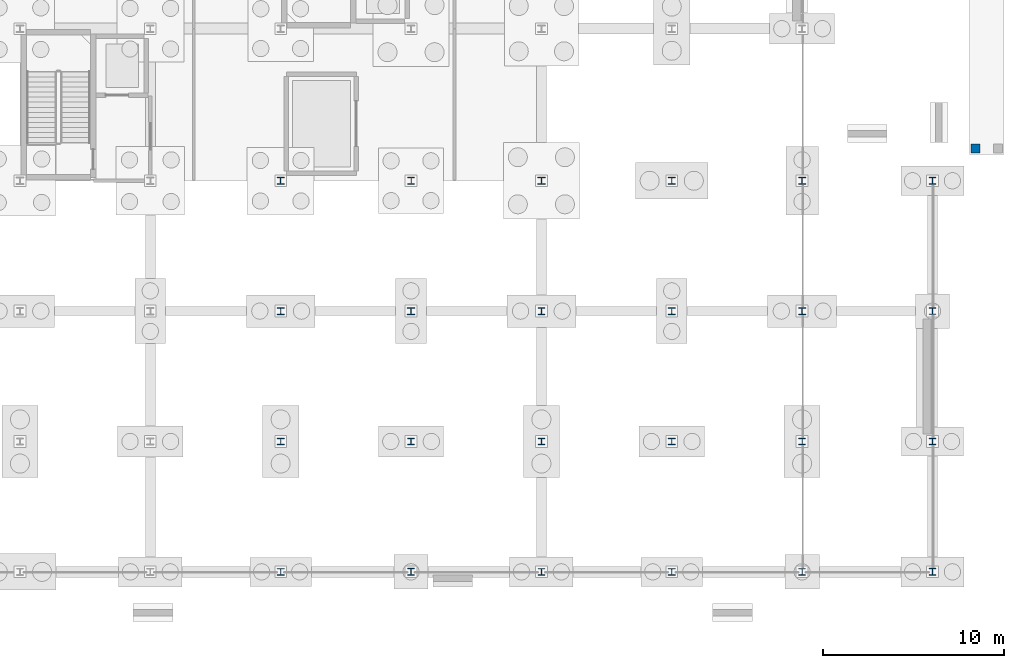
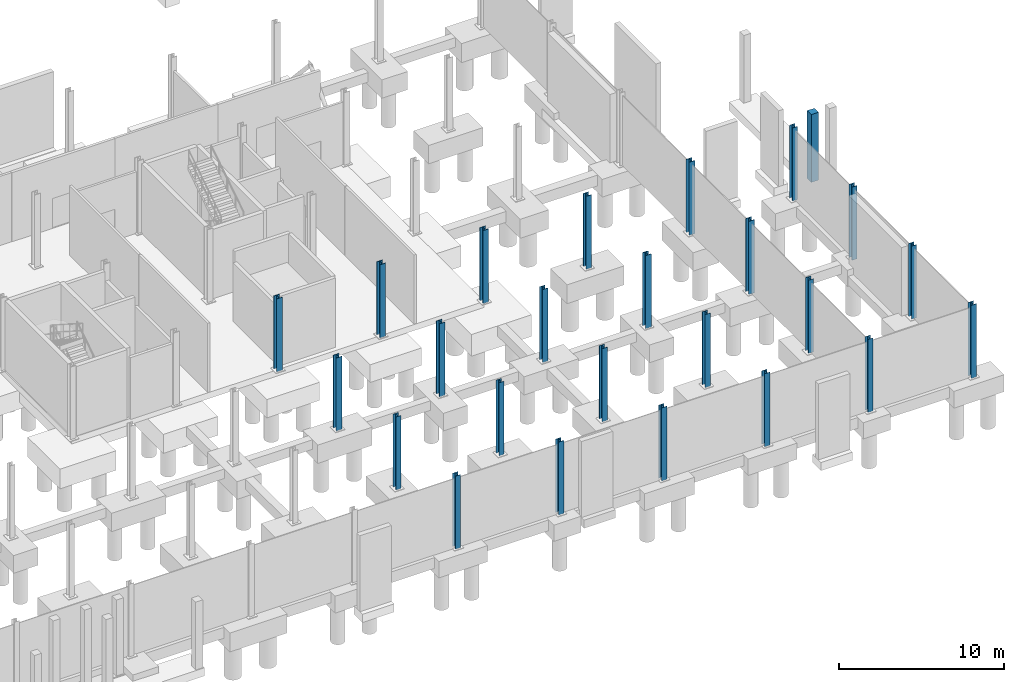
# One storey, part 30 of 61: 25 columns.
"""IFC4 building model written with IfcOpenShell, lengths in metres."""

from ifc_helpers import new_model, si_unit, direction, frame, origin, origin_2d, place, context, subcontext, project, spatial, rectangle, i_section, extrude, material, material_profile, profile_set, type_object, element, save


model = new_model("IFC4")

# Units and contexts
model_context = context("Model", 3, precision=1e-05, world=origin(), true_north=direction((0.0, 1.0)))
body_context = subcontext(model_context, "Body", "Model", "MODEL_VIEW")
ifc_project = project(units=[si_unit("LENGTHUNIT", "METRE"), si_unit("AREAUNIT", "SQUARE_METRE"), si_unit("VOLUMEUNIT", "CUBIC_METRE"), si_unit("PLANEANGLEUNIT", "RADIAN"), si_unit("MASSUNIT", "GRAM", prefix="KILO")], contexts=[model_context])

# Site, building, storey
site_placement = place(None, origin())
site = spatial("IfcSite", under=ifc_project, at=site_placement, CompositionType="ELEMENT")
building_placement = place(site_placement, origin())
building = spatial("IfcBuilding", under=site, at=building_placement, Name="Calvrana Isthmian Art Gallery", CompositionType="ELEMENT")
storey_placement = place(building_placement, frame((0.0, 0.0, -5.39990234375)))
storey = spatial("IfcBuildingStorey", under=building, at=storey_placement, Name="B1", CompositionType="ELEMENT", Elevation=-5.39990234375)

# Columns
ifc_material_1 = material(Name="Concrete C40/50", Category="concrete")
ifc_material_profile_1 = material_profile(ifc_material_1, rectangle(XDim=0.5, YDim=0.5, at=origin_2d()), Name="RC500X500")
ifc_profile_set_1 = profile_set([ifc_material_profile_1], Name="Concrete C40/50")
column_type_1 = type_object("IfcColumnType", Name="COL-RC-RC500X500", PredefinedType="COLUMN", material=ifc_profile_set_1)
column_1_placement = place(storey_placement, frame((165.570068359375, 23.3701171875, -0.4501953125), z_axis=(0.0, 0.0, 1.0), x_axis=(1.0, 0.0, 0.0)))
element("IfcColumn", 1, at=column_1_placement, inside=storey, type_object=column_type_1, Name="Apron pedestal SLB_APR_EAST_BENCH_S-A", PredefinedType="COLUMN", context=body_context, shape_type="SweptSolid", body=[
    extrude(rectangle(XDim=0.5, YDim=0.5, at=origin_2d()), origin(), (0.0, 0.0, 1.0), 5.0),
])
ifc_material_2 = material(Name="Steel ASTM A992 Gr 50", Category="steel")
ifc_material_profile_2 = material_profile(ifc_material_2, i_section(OverallWidth=0.37109375, OverallDepth=0.363037109375, WebThickness=0.01318359375, FlangeThickness=0.021728515625, FilletRadius=0.02490234375, at=origin_2d()), Name="W14X109")
ifc_profile_set_2 = profile_set([ifc_material_profile_2], Name="Steel ASTM A992 Gr 50")
column_type_2 = type_object("IfcColumnType", Name="COL-STL-W14X109", PredefinedType="COLUMN", material=ifc_profile_set_2)
for number, where, z_axis, x_axis, name in (
    (2, (127.199951171875, 7.199951171875, 0.0), (0.0, 0.0, 1.0), (1.0, 0.0, 0.0), "Column 17/B B1"),
    (3, (148.800048828125, 0.0, 0.0), (0.0, 0.0, 1.0), (1.0, 0.0, 0.0), "Column 20/A B1"),
    (4, (156.0, 7.199951171875, 0.0), (0.0, 0.0, 1.0), (1.0, 0.0, 0.0), "Column 21/B B1"),
    (5, (163.199951171875, 14.39990234375, 0.0), (0.0, 0.0, 1.0), (1.0, 0.0, 0.0), "Column 22/C B1"),
):
    element("IfcColumn", number, at=place(storey_placement, frame(where, z_axis=z_axis, x_axis=x_axis)), inside=storey, type_object=column_type_2, Name=name, PredefinedType="COLUMN", context=body_context, shape_type="SweptSolid", body=[
        extrude(i_section(OverallWidth=0.37109375, OverallDepth=0.363037109375, WebThickness=0.01318359375, FlangeThickness=0.021728515625, FilletRadius=0.02490234375, at=origin_2d()), origin(), (0.0, 0.0, 1.0), 5.39990234375),
    ])
ifc_material_profile_3 = material_profile(ifc_material_2, i_section(OverallWidth=0.373046875, OverallDepth=0.367919921875, WebThickness=0.014892578125, FlangeThickness=0.02392578125, FilletRadius=0.02490234375, at=origin_2d()), Name="W14X120")
ifc_profile_set_3 = profile_set([ifc_material_profile_3], Name="Steel ASTM A992 Gr 50")
column_type_3 = type_object("IfcColumnType", Name="COL-STL-W14X120", PredefinedType="COLUMN", material=ifc_profile_set_3)
for number, where, z_axis, x_axis, name in (
    (6, (141.60009765625, 0.0, 0.0), (0.0, 0.0, 1.0), (1.0, 0.0, 0.0), "Column 19/A B1"),
    (7, (148.800048828125, 7.199951171875, 0.0), (0.0, 0.0, 1.0), (1.0, 0.0, 0.0), "Column 20/B B1"),
    (8, (163.199951171875, 21.60009765625, 0.0), (0.0, 0.0, 1.0), (1.0, 0.0, 0.0), "Column 22/D B1"),
):
    element("IfcColumn", number, at=place(storey_placement, frame(where, z_axis=z_axis, x_axis=x_axis)), inside=storey, type_object=column_type_3, Name=name, PredefinedType="COLUMN", context=body_context, shape_type="SweptSolid", body=[
        extrude(i_section(OverallWidth=0.373046875, OverallDepth=0.367919921875, WebThickness=0.014892578125, FlangeThickness=0.02392578125, FilletRadius=0.02490234375, at=origin_2d()), origin(), (0.0, 0.0, 1.0), 5.39990234375),
    ])
ifc_material_profile_4 = material_profile(ifc_material_2, i_section(OverallWidth=0.373046875, OverallDepth=0.373046875, WebThickness=0.016357421875, FlangeThickness=0.026123046875, FilletRadius=0.02490234375, at=origin_2d()), Name="W14X132")
ifc_profile_set_4 = profile_set([ifc_material_profile_4], Name="Steel ASTM A992 Gr 50")
column_type_4 = type_object("IfcColumnType", Name="COL-STL-W14X132", PredefinedType="COLUMN", material=ifc_profile_set_4)
for number, where, z_axis, x_axis, name in (
    (9, (134.39990234375, 0.0, 0.0), (0.0, 0.0, 1.0), (1.0, 0.0, 0.0), "Column 18/A B1"),
    (10, (141.60009765625, 7.199951171875, 0.0), (0.0, 0.0, 1.0), (1.0, 0.0, 0.0), "Column 19/B B1"),
    (11, (141.60009765625, 14.39990234375, 0.0), (0.0, 0.0, 1.0), (1.0, 0.0, 0.0), "Column 19/C B1"),
    (12, (148.800048828125, 21.60009765625, 0.0), (0.0, 0.0, 1.0), (1.0, 0.0, 0.0), "Column 20/D B1"),
    (13, (163.199951171875, 0.0, 0.0), (0.0, 0.0, 1.0), (1.0, 0.0, 0.0), "Column 22/A B1"),
):
    element("IfcColumn", number, at=place(storey_placement, frame(where, z_axis=z_axis, x_axis=x_axis)), inside=storey, type_object=column_type_4, Name=name, PredefinedType="COLUMN", context=body_context, shape_type="SweptSolid", body=[
        extrude(i_section(OverallWidth=0.373046875, OverallDepth=0.373046875, WebThickness=0.016357421875, FlangeThickness=0.026123046875, FilletRadius=0.02490234375, at=origin_2d()), origin(), (0.0, 0.0, 1.0), 5.39990234375),
    ])
ifc_material_profile_5 = material_profile(ifc_material_2, i_section(OverallWidth=0.39404296875, OverallDepth=0.3759765625, WebThickness=0.017333984375, FlangeThickness=0.027587890625, FilletRadius=0.02490234375, at=origin_2d()), Name="W14X145")
ifc_profile_set_5 = profile_set([ifc_material_profile_5], Name="Steel ASTM A992 Gr 50")
column_type_5 = type_object("IfcColumnType", Name="COL-STL-W14X145", PredefinedType="COLUMN", material=ifc_profile_set_5)
column_2_placement = place(storey_placement, frame((134.39990234375, 14.39990234375, 0.0), z_axis=(0.0, 0.0, 1.0), x_axis=(1.0, 0.0, 0.0)))
element("IfcColumn", 14, at=column_2_placement, inside=storey, type_object=column_type_5, Name="Column 18/C B1", PredefinedType="COLUMN", context=body_context, shape_type="SweptSolid", body=[
    extrude(i_section(OverallWidth=0.39404296875, OverallDepth=0.3759765625, WebThickness=0.017333984375, FlangeThickness=0.027587890625, FilletRadius=0.02490234375, at=origin_2d()), origin(), (0.0, 0.0, 1.0), 5.39990234375),
])
ifc_material_profile_6 = material_profile(ifc_material_2, i_section(OverallWidth=0.39599609375, OverallDepth=0.381103515625, WebThickness=0.018798828125, FlangeThickness=0.0302734375, FilletRadius=0.02490234375, at=origin_2d()), Name="W14X159")
ifc_profile_set_6 = profile_set([ifc_material_profile_6], Name="Steel ASTM A992 Gr 50")
column_type_6 = type_object("IfcColumnType", Name="COL-STL-W14X159", PredefinedType="COLUMN", material=ifc_profile_set_6)
for number, where, z_axis, x_axis, name in (
    (15, (127.199951171875, 14.39990234375, 0.0), (0.0, 0.0, 1.0), (1.0, 0.0, 0.0), "Column 17/C B1"),
    (16, (156.0, 14.39990234375, 0.0), (0.0, 0.0, 1.0), (1.0, 0.0, 0.0), "Column 21/C B1"),
):
    element("IfcColumn", number, at=place(storey_placement, frame(where, z_axis=z_axis, x_axis=x_axis)), inside=storey, type_object=column_type_6, Name=name, PredefinedType="COLUMN", context=body_context, shape_type="SweptSolid", body=[
        extrude(i_section(OverallWidth=0.39599609375, OverallDepth=0.381103515625, WebThickness=0.018798828125, FlangeThickness=0.0302734375, FilletRadius=0.02490234375, at=origin_2d()), origin(), (0.0, 0.0, 1.0), 5.39990234375),
    ])
ifc_material_profile_7 = material_profile(ifc_material_2, i_section(OverallWidth=0.39892578125, OverallDepth=0.385986328125, WebThickness=0.02099609375, FlangeThickness=0.033203125, FilletRadius=0.02490234375, at=origin_2d()), Name="W14X176")
ifc_profile_set_7 = profile_set([ifc_material_profile_7], Name="Steel ASTM A992 Gr 50")
column_type_7 = type_object("IfcColumnType", Name="COL-STL-W14X176", PredefinedType="COLUMN", material=ifc_profile_set_7)
for number, where, z_axis, x_axis, name in (
    (17, (148.800048828125, 14.39990234375, 0.0), (0.0, 0.0, 1.0), (1.0, 0.0, 0.0), "Column 20/C B1"),
    (18, (156.0, 21.60009765625, 0.0), (0.0, 0.0, 1.0), (1.0, 0.0, 0.0), "Column 21/D B1"),
):
    element("IfcColumn", number, at=place(storey_placement, frame(where, z_axis=z_axis, x_axis=x_axis)), inside=storey, type_object=column_type_7, Name=name, PredefinedType="COLUMN", context=body_context, shape_type="SweptSolid", body=[
        extrude(i_section(OverallWidth=0.39892578125, OverallDepth=0.385986328125, WebThickness=0.02099609375, FlangeThickness=0.033203125, FilletRadius=0.02490234375, at=origin_2d()), origin(), (0.0, 0.0, 1.0), 5.39990234375),
    ])
ifc_material_profile_8 = material_profile(ifc_material_2, i_section(OverallWidth=0.39892578125, OverallDepth=0.39404296875, WebThickness=0.022705078125, FlangeThickness=0.03662109375, FilletRadius=0.02490234375, at=origin_2d()), Name="W14X193")
ifc_profile_set_8 = profile_set([ifc_material_profile_8], Name="Steel ASTM A992 Gr 50")
column_type_8 = type_object("IfcColumnType", Name="COL-STL-W14X193", PredefinedType="COLUMN", material=ifc_profile_set_8)
column_3_placement = place(storey_placement, frame((127.199951171875, 21.60009765625, 0.0), z_axis=(0.0, 0.0, 1.0), x_axis=(1.0, 0.0, 0.0)))
element("IfcColumn", 19, at=column_3_placement, inside=storey, type_object=column_type_8, Name="Column 17/D B1", PredefinedType="COLUMN", context=body_context, shape_type="SweptSolid", body=[
    extrude(i_section(OverallWidth=0.39892578125, OverallDepth=0.39404296875, WebThickness=0.022705078125, FlangeThickness=0.03662109375, FilletRadius=0.02490234375, at=origin_2d()), origin(), (0.0, 0.0, 1.0), 5.39990234375),
])
ifc_material_profile_9 = material_profile(ifc_material_2, i_section(OverallWidth=0.40087890625, OverallDepth=0.39892578125, WebThickness=0.02490234375, FlangeThickness=0.03955078125, FilletRadius=0.02490234375, at=origin_2d()), Name="W14X211")
ifc_profile_set_9 = profile_set([ifc_material_profile_9], Name="Steel ASTM A992 Gr 50")
column_type_9 = type_object("IfcColumnType", Name="COL-STL-W14X211", PredefinedType="COLUMN", material=ifc_profile_set_9)
column_4_placement = place(storey_placement, frame((141.60009765625, 21.60009765625, 0.0), z_axis=(0.0, 0.0, 1.0), x_axis=(1.0, 0.0, 0.0)))
element("IfcColumn", 20, at=column_4_placement, inside=storey, type_object=column_type_9, Name="Column 19/D B1", PredefinedType="COLUMN", context=body_context, shape_type="SweptSolid", body=[
    extrude(i_section(OverallWidth=0.40087890625, OverallDepth=0.39892578125, WebThickness=0.02490234375, FlangeThickness=0.03955078125, FilletRadius=0.02490234375, at=origin_2d()), origin(), (0.0, 0.0, 1.0), 5.39990234375),
])
ifc_material_profile_10 = material_profile(ifc_material_2, i_section(OverallWidth=0.406005859375, OverallDepth=0.4169921875, WebThickness=0.02978515625, FlangeThickness=0.048095703125, FilletRadius=0.02490234375, at=origin_2d()), Name="W14X257")
ifc_profile_set_10 = profile_set([ifc_material_profile_10], Name="Steel ASTM A992 Gr 50")
column_type_10 = type_object("IfcColumnType", Name="COL-STL-W14X257", PredefinedType="COLUMN", material=ifc_profile_set_10)
column_5_placement = place(storey_placement, frame((134.39990234375, 21.60009765625, 0.0), z_axis=(0.0, 0.0, 1.0), x_axis=(1.0, 0.0, 0.0)))
element("IfcColumn", 21, at=column_5_placement, inside=storey, type_object=column_type_10, Name="Column 18/D B1", PredefinedType="COLUMN", context=body_context, shape_type="SweptSolid", body=[
    extrude(i_section(OverallWidth=0.406005859375, OverallDepth=0.4169921875, WebThickness=0.02978515625, FlangeThickness=0.048095703125, FilletRadius=0.02490234375, at=origin_2d()), origin(), (0.0, 0.0, 1.0), 5.39990234375),
])
ifc_material_profile_11 = material_profile(ifc_material_2, i_section(OverallWidth=0.367919921875, OverallDepth=0.35595703125, WebThickness=0.01123046875, FlangeThickness=0.01806640625, FilletRadius=0.02490234375, at=origin_2d()), Name="W14X90")
ifc_profile_set_11 = profile_set([ifc_material_profile_11], Name="Steel ASTM A992 Gr 50")
column_type_11 = type_object("IfcColumnType", Name="COL-STL-W14X90", PredefinedType="COLUMN", material=ifc_profile_set_11)
for number, where, z_axis, x_axis, name in (
    (22, (127.199951171875, 0.0, 0.0), (0.0, 0.0, 1.0), (1.0, 0.0, 0.0), "Column 17/A B1"),
    (23, (134.39990234375, 7.199951171875, 0.0), (0.0, 0.0, 1.0), (1.0, 0.0, 0.0), "Column 18/B B1"),
    (24, (156.0, 0.0, 0.0), (0.0, 0.0, 1.0), (1.0, 0.0, 0.0), "Column 21/A B1"),
    (25, (163.199951171875, 7.199951171875, 0.0), (0.0, 0.0, 1.0), (1.0, 0.0, 0.0), "Column 22/B B1"),
):
    element("IfcColumn", number, at=place(storey_placement, frame(where, z_axis=z_axis, x_axis=x_axis)), inside=storey, type_object=column_type_11, Name=name, PredefinedType="COLUMN", context=body_context, shape_type="SweptSolid", body=[
        extrude(i_section(OverallWidth=0.367919921875, OverallDepth=0.35595703125, WebThickness=0.01123046875, FlangeThickness=0.01806640625, FilletRadius=0.02490234375, at=origin_2d()), origin(), (0.0, 0.0, 1.0), 5.39990234375),
    ])

save(model, "model.ifc")
